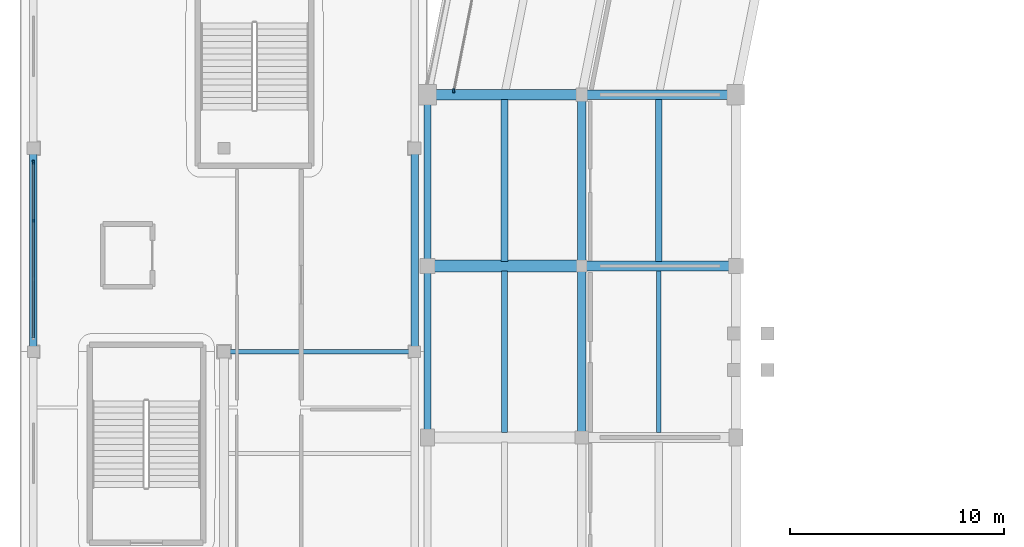
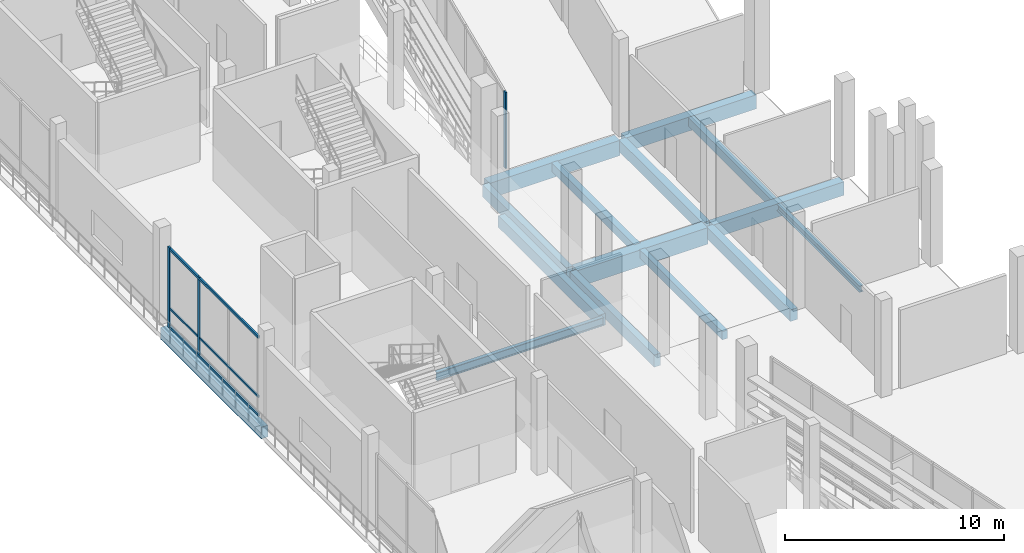
# One storey, part 24 of 111: 15 beams, 6 members, 2 elements without a shape of their own.
"""IFC4 building model written with IfcOpenShell, lengths in metres."""

from ifc_helpers import new_model, si_unit, direction, frame, origin, origin_2d, place, context, subcontext, project, spatial, rectangle, i_section, extrude, material, material_profile, profile_set, type_object, element, aggregate, save


model = new_model("IFC4")

# Units and contexts
model_context = context("Model", 3, precision=1e-05, world=origin(), true_north=direction((0.0, 1.0)))
body_context = subcontext(model_context, "Body", "Model", "MODEL_VIEW")
ifc_project = project(units=[si_unit("LENGTHUNIT", "METRE"), si_unit("AREAUNIT", "SQUARE_METRE"), si_unit("VOLUMEUNIT", "CUBIC_METRE"), si_unit("PLANEANGLEUNIT", "RADIAN"), si_unit("MASSUNIT", "GRAM", prefix="KILO")], contexts=[model_context])

# Site, building, storey
site_placement = place(None, origin())
site = spatial("IfcSite", under=ifc_project, at=site_placement, CompositionType="ELEMENT")
building_placement = place(site_placement, origin())
building = spatial("IfcBuilding", under=site, at=building_placement, Name="Candeia Ridge Stadium", CompositionType="ELEMENT")
storey_placement = place(building_placement, frame((0.0, 0.0, 16.199951171875)))
storey = spatial("IfcBuildingStorey", under=building, at=storey_placement, Name="L03", CompositionType="ELEMENT", Elevation=16.199951171875)

# Beams
ifc_material_1 = material(Name="Concrete C45/55", Category="concrete")
ifc_material_profile_1 = material_profile(ifc_material_1, rectangle(XDim=0.449951171875, YDim=0.75, at=origin_2d()), Name="RC450x750", Category="concrete")
ifc_profile_set_1 = profile_set([ifc_material_profile_1], Name="Concrete C45/55")
beam_type_1 = type_object("IfcBeamType", Name="Bowl Radial Girder RC450x750", PredefinedType="BEAM", material=ifc_profile_set_1)
beam_1_placement = place(storey_placement, frame((33.239990234375, 87.0, -0.625), z_axis=(-1.0, 0.0, 0.0), x_axis=(0.0, -1.0, 0.0)))
element("IfcBeam", 1, at=beam_1_placement, inside=storey, type_object=beam_type_1, Name="Bowl radial girder BM-L03-0505", PredefinedType="BEAM", context=body_context, shape_type="SweptSolid", body=[
    extrude(rectangle(XDim=0.449951171875, YDim=0.75, at=origin_2d()), origin(), (0.0, 0.0, 1.0), 6.8798828125),
])
ifc_material_2 = material(Name="Steel ASTM A572 Grade 50", Category="steel")
ifc_material_profile_2 = material_profile(ifc_material_2, i_section(OverallWidth=0.205078125, OverallDepth=0.35400390625, WebThickness=0.009521484375, FlangeThickness=0.016845703125, FilletRadius=0.014892578125, at=origin_2d()), Name="W360x79", Category="steel")
ifc_profile_set_2 = profile_set([ifc_material_profile_2], Name="Steel ASTM A572 Grade 50")
beam_type_2 = type_object("IfcBeamType", Name="Concourse Secondary Joist W360x79", PredefinedType="JOIST", material=ifc_profile_set_2)
beam_2_placement = place(storey_placement, frame((29.800048828125, 86.778076171875, -0.427001953125), z_axis=(0.0, -1.0, 0.0), x_axis=(1.0, 0.0, 0.0)))
element("IfcBeam", 2, at=beam_2_placement, inside=storey, type_object=beam_type_2, Name="Concourse secondary joist BM-L03-0611", PredefinedType="JOIST", context=body_context, shape_type="SweptSolid", body=[
    extrude(i_section(OverallWidth=0.205078125, OverallDepth=0.35400390625, WebThickness=0.009521484375, FlangeThickness=0.016845703125, FilletRadius=0.014892578125, at=origin_2d()), origin(), (0.0, 0.0, 1.0), 7.55615234375),
])

# Curtain wall, member
ifc_material_3 = material(Name="Aluminium Anodized Warm Bronze", Category="aluminium")
curtain_wall_type_1 = type_object("IfcCurtainWallType", Name="Concourse Recessed Unitised Curtain Wall", PredefinedType="NOTDEFINED", material=ifc_material_3)
curtain_wall_1_placement = place(storey_placement, origin())
curtain_wall_1 = element("IfcCurtainWall", 3, at=curtain_wall_1_placement, inside=storey, type_object=curtain_wall_type_1, Name="Unitised curtain wall CW-BWL-L03-10", PredefinedType="NOTDEFINED")
ifc_material_profile_3 = material_profile(ifc_material_3, rectangle(XDim=0.090087890625, YDim=0.179931640625, at=origin_2d()), Name="CWM-90x180", Category="aluminium")
ifc_profile_set_3 = profile_set([ifc_material_profile_3], Name="Aluminium Anodized Warm Bronze")
member_type_1 = type_object("IfcMemberType", Name="Curtain Wall Primary Mullion 90x180", PredefinedType="MULLION", material=ifc_profile_set_3)
member_1_placement = place(storey_placement, frame((20.235107421875, 95.176513671875, 0.0), z_axis=(0.0, 0.0, 1.0), x_axis=(1.0, 0.0, 0.0)))
member_1 = element("IfcMember", 4, at=member_1_placement, type_object=member_type_1, Name="Curtain wall mullion CW-BWL-L03-10-M7", PredefinedType="MULLION", context=body_context, shape_type="SweptSolid", body=[
    extrude(rectangle(XDim=0.090087890625, YDim=0.179931640625, at=origin_2d()), origin(), (0.0, 0.0, 1.0), 4.2451171875),
])
aggregate(curtain_wall_1, [member_1])

# Curtain wall, members
curtain_wall_type_2 = type_object("IfcCurtainWallType", Name="West Pavilion Hospitality Curtain Wall", PredefinedType="NOTDEFINED", material=ifc_material_3)
curtain_wall_2_placement = place(storey_placement, origin())
curtain_wall_2 = element("IfcCurtainWall", 5, at=curtain_wall_2_placement, inside=storey, type_object=curtain_wall_type_2, Name="Unitised curtain wall CW-WNG-L03-090", PredefinedType="NOTDEFINED")
member_2_placement = place(storey_placement, frame((0.60009765625, 91.840087890625, 0.0), z_axis=(0.0, 0.0, 1.0), x_axis=(1.0, 0.0, 0.0)))
member_2 = element("IfcMember", 6, at=member_2_placement, type_object=member_type_1, Name="Curtain wall mullion CW-WNG-L03-090-M3", PredefinedType="MULLION", context=body_context, shape_type="SweptSolid", body=[
    extrude(rectangle(XDim=0.090087890625, YDim=0.179931640625, at=origin_2d()), origin(), (0.0, 0.0, 1.0), 4.47509765625),
])
ifc_material_profile_4 = material_profile(ifc_material_3, rectangle(XDim=0.074951171875, YDim=0.14990234375, at=origin_2d()), Name="CWM-75x150", Category="aluminium")
ifc_profile_set_4 = profile_set([ifc_material_profile_4], Name="Aluminium Anodized Warm Bronze")
member_type_2 = type_object("IfcMemberType", Name="Curtain Wall Secondary Mullion 75x150", PredefinedType="MULLION", material=ifc_profile_set_4)
member_3_placement = place(storey_placement, frame((0.60009765625, 89.11328125, 0.0), z_axis=(0.0, 0.0, 1.0), x_axis=(1.0, 0.0, 0.0)))
member_3 = element("IfcMember", 7, at=member_3_placement, type_object=member_type_2, Name="Curtain wall mullion CW-WNG-L03-090-M2", PredefinedType="MULLION", context=body_context, shape_type="SweptSolid", body=[
    extrude(rectangle(XDim=0.074951171875, YDim=0.14990234375, at=origin_2d()), origin(), (0.0, 0.0, 1.0), 4.47509765625),
])
ifc_material_profile_5 = material_profile(ifc_material_3, rectangle(XDim=0.074951171875, YDim=0.110107421875, at=origin_2d()), Name="CWT-75x110", Category="aluminium")
ifc_profile_set_5 = profile_set([ifc_material_profile_5], Name="Aluminium Anodized Warm Bronze")
member_type_3 = type_object("IfcMemberType", Name="Curtain Wall Secondary Transom 75x110", PredefinedType="USERDEFINED", material=ifc_profile_set_5)
member_4_placement = place(storey_placement, frame((0.60009765625, 83.659912109375, 1.10009765625), z_axis=(0.0, 1.0, 0.0), x_axis=(-1.0, 0.0, 0.0)))
member_4 = element("IfcMember", 8, at=member_4_placement, type_object=member_type_3, Name="Curtain wall transom CW-WNG-L03-090-T1", ObjectType="TRANSOM", PredefinedType="USERDEFINED", context=body_context, shape_type="SweptSolid", body=[
    extrude(rectangle(XDim=0.074951171875, YDim=0.110107421875, at=origin_2d()), origin(), (0.0, 0.0, 1.0), 8.18017578125),
])
ifc_material_profile_6 = material_profile(ifc_material_3, rectangle(XDim=0.090087890625, YDim=0.139892578125, at=origin_2d()), Name="CWT-90x140", Category="aluminium")
ifc_profile_set_6 = profile_set([ifc_material_profile_6], Name="Aluminium Anodized Warm Bronze")
member_type_4 = type_object("IfcMemberType", Name="Curtain Wall Transom 90x140", PredefinedType="USERDEFINED", material=ifc_profile_set_6)
member_5_placement = place(storey_placement, frame((0.60009765625, 83.659912109375, 0.070068359375), z_axis=(0.0, 1.0, 0.0), x_axis=(-1.0, 0.0, 0.0)))
member_5 = element("IfcMember", 9, at=member_5_placement, type_object=member_type_4, Name="Curtain wall transom CW-WNG-L03-090-T0", ObjectType="TRANSOM", PredefinedType="USERDEFINED", context=body_context, shape_type="SweptSolid", body=[
    extrude(rectangle(XDim=0.090087890625, YDim=0.139892578125, at=origin_2d()), origin(), (0.0, 0.0, 1.0), 8.18017578125),
])
member_6_placement = place(storey_placement, frame((0.60009765625, 83.659912109375, 4.405029296875), z_axis=(0.0, 1.0, 0.0), x_axis=(-1.0, 0.0, 0.0)))
member_6 = element("IfcMember", 10, at=member_6_placement, type_object=member_type_4, Name="Curtain wall transom CW-WNG-L03-090-T2", ObjectType="TRANSOM", PredefinedType="USERDEFINED", context=body_context, shape_type="SweptSolid", body=[
    extrude(rectangle(XDim=0.090087890625, YDim=0.139892578125, at=origin_2d()), origin(), (0.0, 0.0, 1.0), 8.18017578125),
])
aggregate(curtain_wall_2, [member_3, member_2, member_5, member_4, member_6])

# Beams
ifc_material_4 = material(Name="Concrete C40/50", Category="concrete")
ifc_material_profile_7 = material_profile(ifc_material_4, rectangle(XDim=0.280029296875, YDim=0.4599609375, at=origin_2d()), Name="RC280x460", Category="concrete")
ifc_profile_set_7 = profile_set([ifc_material_profile_7], Name="Concrete C40/50")
beam_type_3 = type_object("IfcBeamType", Name="Floor Joist RC280x460", PredefinedType="JOIST", material=ifc_profile_set_7)
beam_3_placement = place(storey_placement, frame((22.60009765625, 86.778076171875, -0.47998046875), z_axis=(0.0, -1.0, 0.0), x_axis=(1.0, 0.0, 0.0)))
element("IfcBeam", 11, at=beam_3_placement, inside=storey, type_object=beam_type_3, Name="Concourse secondary joist BM-L03-0612", PredefinedType="JOIST", context=body_context, shape_type="SweptSolid", body=[
    extrude(rectangle(XDim=0.280029296875, YDim=0.4599609375, at=origin_2d()), origin(), (0.0, 0.0, 1.0), 7.55615234375),
])
ifc_material_profile_8 = material_profile(ifc_material_4, rectangle(XDim=0.31005859375, YDim=0.489990234375, at=origin_2d()), Name="RC310x490", Category="concrete")
ifc_profile_set_8 = profile_set([ifc_material_profile_8], Name="Concrete C40/50")
beam_type_4 = type_object("IfcBeamType", Name="Floor Joist RC310x490", PredefinedType="JOIST", material=ifc_profile_set_8)
beam_4_placement = place(storey_placement, frame((29.800048828125, 94.778076171875, -0.494873046875), z_axis=(0.0, -1.0, 0.0), x_axis=(1.0, 0.0, 0.0)))
element("IfcBeam", 12, at=beam_4_placement, inside=storey, type_object=beam_type_4, Name="Concourse secondary joist BM-L03-0606", PredefinedType="JOIST", context=body_context, shape_type="SweptSolid", body=[
    extrude(rectangle(XDim=0.31005859375, YDim=0.489990234375, at=origin_2d()), origin(), (0.0, 0.0, 1.0), 7.55615234375),
])
ifc_material_profile_9 = material_profile(ifc_material_4, rectangle(XDim=0.320068359375, YDim=0.47998046875, at=origin_2d()), Name="RC320x480", Category="concrete")
ifc_profile_set_9 = profile_set([ifc_material_profile_9], Name="Concrete C40/50")
beam_type_5 = type_object("IfcBeamType", Name="Floor Joist RC320x480", PredefinedType="JOIST", material=ifc_profile_set_9)
beam_5_placement = place(storey_placement, frame((22.60009765625, 94.778076171875, -0.489990234375), z_axis=(0.0, -1.0, 0.0), x_axis=(1.0, 0.0, 0.0)))
element("IfcBeam", 13, at=beam_5_placement, inside=storey, type_object=beam_type_5, Name="Concourse secondary joist BM-L03-0607", PredefinedType="JOIST", context=body_context, shape_type="SweptSolid", body=[
    extrude(rectangle(XDim=0.320068359375, YDim=0.47998046875, at=origin_2d()), origin(), (0.0, 0.0, 1.0), 7.55615234375),
])
ifc_material_profile_10 = material_profile(ifc_material_4, rectangle(XDim=0.389892578125, YDim=0.639892578125, at=origin_2d()), Name="RC390x640", Category="concrete")
ifc_profile_set_10 = profile_set([ifc_material_profile_10], Name="Concrete C40/50")
beam_type_6 = type_object("IfcBeamType", Name="Frame Girder RC390x640", PredefinedType="BEAM", material=ifc_profile_set_10)
for number, where, z_axis, x_axis, name in (
    (14, (26.199951171875, 94.840087890625, -0.570068359375), (0.0, -1.0, 0.0), (1.0, 0.0, 0.0), "Concourse spine girder BM-L03-0604"),
    (15, (26.199951171875, 86.840087890625, -0.570068359375), (0.0, -1.0, 0.0), (1.0, 0.0, 0.0), "Concourse spine girder BM-L03-0609"),
):
    element("IfcBeam", number, at=place(storey_placement, frame(where, z_axis=z_axis, x_axis=x_axis)), inside=storey, type_object=beam_type_6, Name=name, PredefinedType="BEAM", context=body_context, shape_type="SweptSolid", body=[
        extrude(rectangle(XDim=0.389892578125, YDim=0.639892578125, at=origin_2d()), origin(), (0.0, 0.0, 1.0), 7.68017578125),
    ])
ifc_material_profile_11 = material_profile(ifc_material_4, rectangle(XDim=0.4599609375, YDim=0.780029296875, at=origin_2d()), Name="RC460x780", Category="concrete")
ifc_profile_set_11 = profile_set([ifc_material_profile_11], Name="Concrete C40/50")
beam_type_7 = type_object("IfcBeamType", Name="Frame Girder RC460x780", PredefinedType="BEAM", material=ifc_profile_set_11)
beam_6_placement = place(storey_placement, frame((33.239990234375, 95.0, -0.639892578125), z_axis=(-1.0, 0.0, 0.0), x_axis=(0.0, -1.0, 0.0)))
element("IfcBeam", 16, at=beam_6_placement, inside=storey, type_object=beam_type_7, Name="Bowl radial girder BM-L03-0503", PredefinedType="BEAM", context=body_context, shape_type="SweptSolid", body=[
    extrude(rectangle(XDim=0.4599609375, YDim=0.780029296875, at=origin_2d()), origin(), (0.0, 0.0, 1.0), 6.8798828125),
])
ifc_material_profile_12 = material_profile(ifc_material_1, rectangle(XDim=0.5, YDim=0.85009765625, at=origin_2d()), Name="RC500x850", Category="concrete")
ifc_profile_set_12 = profile_set([ifc_material_profile_12], Name="Concrete C45/55")
beam_type_8 = type_object("IfcBeamType", Name="Frame Girder RC500x850", PredefinedType="BEAM", material=ifc_profile_set_12)
beam_7_placement = place(storey_placement, frame((26.0400390625, 95.0, -0.675048828125), z_axis=(-1.0, 0.0, 0.0), x_axis=(0.0, -1.0, 0.0)))
element("IfcBeam", 17, at=beam_7_placement, inside=storey, type_object=beam_type_8, Name="Bowl radial girder BM-L03-0504", PredefinedType="BEAM", context=body_context, shape_type="SweptSolid", body=[
    extrude(rectangle(XDim=0.5, YDim=0.85009765625, at=origin_2d()), origin(), (0.0, 0.0, 1.0), 6.880126953125),
])
ifc_material_profile_13 = material_profile(ifc_material_1, rectangle(XDim=0.550048828125, YDim=0.919921875, at=origin_2d()), Name="RC550x920", Category="concrete")
ifc_profile_set_13 = profile_set([ifc_material_profile_13], Name="Concrete C45/55")
beam_type_9 = type_object("IfcBeamType", Name="Frame Girder RC550x920", PredefinedType="BEAM", material=ifc_profile_set_13)
beam_8_placement = place(storey_placement, frame((26.0400390625, 87.0, -0.7099609375), z_axis=(-1.0, 0.0, 0.0), x_axis=(0.0, -1.0, 0.0)))
element("IfcBeam", 18, at=beam_8_placement, inside=storey, type_object=beam_type_9, Name="Bowl radial girder BM-L03-0506", PredefinedType="BEAM", context=body_context, shape_type="SweptSolid", body=[
    extrude(rectangle(XDim=0.550048828125, YDim=0.919921875, at=origin_2d()), origin(), (0.0, 0.0, 1.0), 6.880126953125),
])
ifc_material_profile_14 = material_profile(ifc_material_2, i_section(OverallWidth=0.18994140625, OverallDepth=0.45703125, WebThickness=0.009033203125, FlangeThickness=0.014404296875, FilletRadius=0.012939453125, at=origin_2d()), Name="W460x74", Category="steel")
ifc_profile_set_14 = profile_set([ifc_material_profile_14], Name="Steel ASTM A572 Grade 50")
beam_type_10 = type_object("IfcBeamType", Name="Pavilion Steel Girder W460x74", PredefinedType="BEAM", material=ifc_profile_set_14)
beam_9_placement = place(storey_placement, frame((9.550048828125, 83.0, -0.478515625), z_axis=(1.0, 0.0, 0.0), x_axis=(0.0, 1.0, 0.0)))
element("IfcBeam", 19, at=beam_9_placement, inside=storey, type_object=beam_type_10, Name="Structural girder BM-L03-1262", PredefinedType="BEAM", context=body_context, shape_type="SweptSolid", body=[
    extrude(i_section(OverallWidth=0.18994140625, OverallDepth=0.45703125, WebThickness=0.009033203125, FlangeThickness=0.014404296875, FilletRadius=0.012939453125, at=origin_2d()), origin(), (0.0, 0.0, 1.0), 8.800048828125),
])
ifc_material_profile_15 = material_profile(ifc_material_4, rectangle(XDim=0.340087890625, YDim=0.679931640625, at=origin_2d()), Name="RC340x680", Category="concrete")
ifc_profile_set_15 = profile_set([ifc_material_profile_15], Name="Concrete C40/50")
beam_type_11 = type_object("IfcBeamType", Name="Spandrel Beam RC340x680", PredefinedType="SPANDREL", material=ifc_profile_set_15)
for number, where, z_axis, x_axis, name in (
    (20, (19.0, 94.840087890625, -0.58984375), (0.0, -1.0, 0.0), (1.0, 0.0, 0.0), "Bowl perimeter spandrel BM-L03-0605"),
    (21, (19.0, 86.840087890625, -0.58984375), (0.0, -1.0, 0.0), (1.0, 0.0, 0.0), "Bowl perimeter spandrel BM-L03-0610"),
):
    element("IfcBeam", number, at=place(storey_placement, frame(where, z_axis=z_axis, x_axis=x_axis)), inside=storey, type_object=beam_type_11, Name=name, PredefinedType="SPANDREL", context=body_context, shape_type="SweptSolid", body=[
        extrude(rectangle(XDim=0.340087890625, YDim=0.679931640625, at=origin_2d()), origin(), (0.0, 0.0, 1.0), 7.68017578125),
    ])
ifc_material_profile_16 = material_profile(ifc_material_4, rectangle(XDim=0.35009765625, YDim=0.64990234375, at=origin_2d()), Name="RC350x650", Category="concrete")
ifc_profile_set_16 = profile_set([ifc_material_profile_16], Name="Concrete C40/50")
beam_type_12 = type_object("IfcBeamType", Name="Spandrel Beam RC350x650", PredefinedType="SPANDREL", material=ifc_profile_set_16)
for number, where, z_axis, x_axis, name in (
    (22, (0.60009765625, 83.159912109375, -0.574951171875), (0.0, 1.0, 0.0), (-1.0, 0.0, 0.0), "Structural girder BM-L03-1200"),
    (23, (18.39990234375, 83.159912109375, -0.574951171875), (0.0, 1.0, 0.0), (-1.0, 0.0, 0.0), "Structural girder BM-L03-1225"),
):
    element("IfcBeam", number, at=place(storey_placement, frame(where, z_axis=z_axis, x_axis=x_axis)), inside=storey, type_object=beam_type_12, Name=name, PredefinedType="SPANDREL", context=body_context, shape_type="SweptSolid", body=[
        extrude(rectangle(XDim=0.35009765625, YDim=0.64990234375, at=origin_2d()), origin(), (0.0, 0.0, 1.0), 9.18017578125),
    ])

save(model, "model.ifc")
